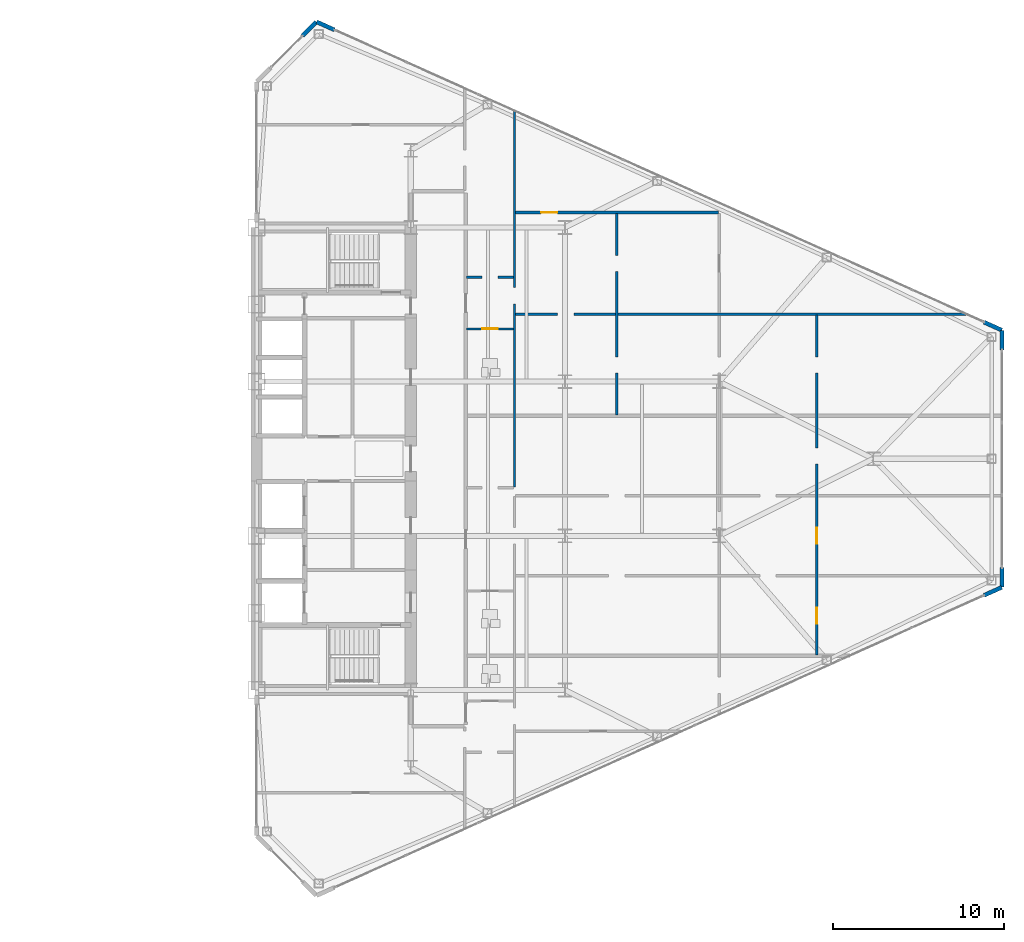
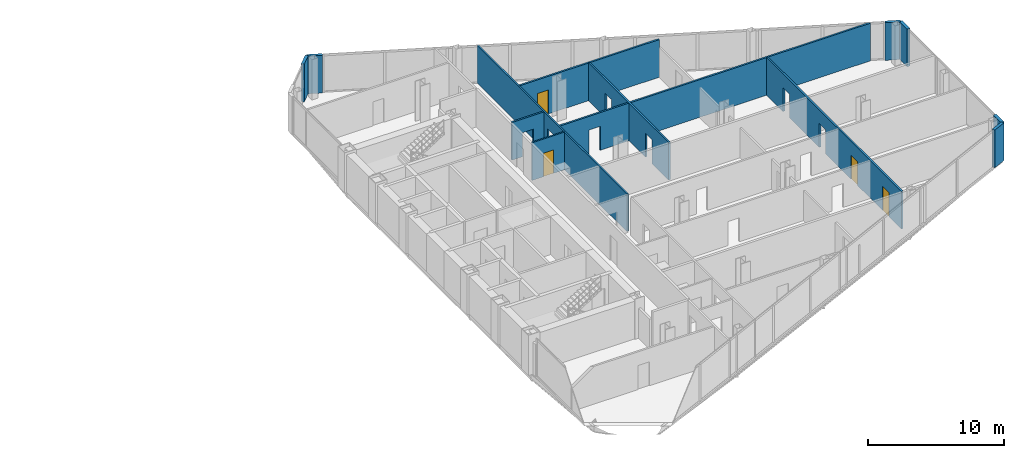
# One storey, part 24 of 27: 13 walls, 4 doors, 11 openings.
"""IFC4 building model written with IfcOpenShell, lengths in metres."""

from ifc_helpers import new_model, si_unit, direction, frame, frame_2d, origin, place, context, subcontext, project, spatial, rectangle, extrude, source, transform, mapped, material, layer, layer_set, type_object, type_shapes, element, fill, save


model = new_model("IFC4")

# Units and contexts
model_context = context("Model", 3, precision=1e-05, world=origin(), true_north=direction((0.0, 1.0)))
body_context = subcontext(model_context, "Body", "Model", "MODEL_VIEW")
ifc_project = project(units=[si_unit("LENGTHUNIT", "METRE"), si_unit("AREAUNIT", "SQUARE_METRE"), si_unit("VOLUMEUNIT", "CUBIC_METRE"), si_unit("PLANEANGLEUNIT", "RADIAN"), si_unit("MASSUNIT", "GRAM", prefix="KILO")], contexts=[model_context])

# Site, building, storey
site_placement = place(None, origin())
site = spatial("IfcSite", under=ifc_project, at=site_placement, CompositionType="ELEMENT")
building_placement = place(site_placement, origin())
building = spatial("IfcBuilding", under=site, at=building_placement, Name="Seokmaru Belvedere", CompositionType="ELEMENT")
storey_placement = place(building_placement, frame((0.0, 0.0, 65.699951171875)))
storey = spatial("IfcBuildingStorey", under=building, at=storey_placement, Name="L17", CompositionType="ELEMENT", Elevation=65.699951171875)

# Wall, opening
ifc_material_1 = material(Name="Fire-Rated Gypsum Shaftwall")
ifc_layer_1 = layer(ifc_material_1, 0.14990234375)
ifc_layer_set_1 = layer_set([ifc_layer_1], Name="Fire-Rated Gypsum Shaftwall")
wall_type_1 = type_object("IfcWallType", Name="Apartment Fire-Acoustic Room Partition 150", PredefinedType="PARTITIONING", material=ifc_layer_set_1)
wall_1_placement = place(storey_placement, frame((42.60009765625, 8.429931640625, 0.0), z_axis=(0.0, 0.0, 1.0), x_axis=(1.0, 0.0, 0.0)))
wall_1 = element("IfcWall", 1, at=wall_1_placement, inside=storey, type_object=wall_type_1, Name="L17 Interior Partition 025", PredefinedType="PARTITIONING", context=body_context, shape_type="SweptSolid", body=[
    extrude(rectangle(XDim=26.35888671875, YDim=0.14990234375, at=frame_2d((13.179443359375, 0.0))), origin(), (0.0, 0.0, 1.0), 3.380126953125),
])
opening_1_placement = place(wall_1_placement, frame((2.46240234375, 0.0, 0.0)))
element("IfcOpeningElement", 2, at=opening_1_placement, cuts=wall_1, Name="L17 Cased Opening 050", PredefinedType="OPENING", context=body_context, shape_type="SweptSolid", body=[
    extrude(rectangle(XDim=0.949951171875, YDim=2.14990234375, at=frame_2d((0.47509765625, 1.074951171875))), frame((0.0, 0.0849609375, 0.0), z_axis=(0.0, -1.0, 0.0), x_axis=(1.0, 0.0, 0.0)), (0.0, 0.0, 1.0), 0.169921875),
])

wall_2_placement = place(storey_placement, frame((39.75, 10.580078125, 0.0), z_axis=(0.0, 0.0, 1.0), x_axis=(1.0, 0.0, 0.0)))
wall_2 = element("IfcWall", 3, at=wall_2_placement, inside=storey, type_object=wall_type_1, Name="L17 Interior Partition 027", PredefinedType="PARTITIONING", context=body_context, shape_type="SweptSolid", body=[
    extrude(rectangle(XDim=2.75, YDim=0.14990234375, at=frame_2d((1.375, 0.0))), origin(), (0.0, 0.0, 1.0), 3.380126953125),
])
opening_2_placement = place(wall_2_placement, frame((0.89990234375, 0.0, 0.0)))
element("IfcOpeningElement", 4, at=opening_2_placement, cuts=wall_2, Name="L17 Cased Opening 048", PredefinedType="OPENING", context=body_context, shape_type="SweptSolid", body=[
    extrude(rectangle(XDim=0.949951171875, YDim=2.14990234375, at=frame_2d((0.47509765625, 1.074951171875))), frame((0.0, 0.0849609375, 0.0), z_axis=(0.0, -1.0, 0.0), x_axis=(1.0, 0.0, 0.0)), (0.0, 0.0, 1.0), 0.169921875),
])

# Wall, opening, door
wall_3_placement = place(storey_placement, frame((42.60009765625, 14.3701171875, 0.0), z_axis=(0.0, 0.0, 1.0), x_axis=(1.0, 0.0, 0.0)))
wall_3 = element("IfcWall", 5, at=wall_3_placement, inside=storey, type_object=wall_type_1, Name="L17 Interior Partition 028", PredefinedType="PARTITIONING", context=body_context, shape_type="SweptSolid", body=[
    extrude(rectangle(XDim=11.849853515625, YDim=0.14990234375, at=frame_2d((5.9248046875, 0.0))), origin(), (0.0, 0.0, 1.0), 3.380126953125),
])
opening_3_placement = place(wall_3_placement, frame((1.49951171875, 0.0, 0.0)))
opening_3 = element("IfcOpeningElement", 6, at=opening_3_placement, cuts=wall_3, Name="Opening D05", PredefinedType="OPENING", context=body_context, shape_type="SweptSolid", body=[
    extrude(rectangle(XDim=0.949951171875, YDim=2.14990234375, at=frame_2d((0.47509765625, 1.074951171875))), frame((0.0, 0.0849609375, 0.0), z_axis=(0.0, -1.0, 0.0), x_axis=(1.0, 0.0, 0.0)), (0.0, 0.0, 1.0), 0.169921875),
])
ifc_material_2 = material(Name="Engineered White Oak Timber", Category="wood")
door_type_1 = type_object("IfcDoorType", Name="Apartment Interior Fire-Rated Oak Door 950x2150", OperationType="NOTDEFINED", PredefinedType="DOOR", material=ifc_material_2)
shared_shape_1 = source(origin(), body_context, "Body", "SweptSolid", [
    extrude(rectangle(XDim=0.949951171875, YDim=2.14990234375, at=frame_2d((0.47509765625, 1.074951171875))), frame((0.0, 0.02490234375, 0.0), z_axis=(0.0, -1.0, 0.0), x_axis=(1.0, 0.0, 0.0)), (0.0, 0.0, 1.0), 0.050048828125),
])
type_shapes(door_type_1, [shared_shape_1])
door_1_placement = place(opening_3_placement, origin())
door_1 = element("IfcDoor", 7, at=door_1_placement, inside=storey, type_object=door_type_1, Name="L17 Interior Door 052", OperationType="SINGLE_SWING_LEFT", OverallHeight=2.14990234375, OverallWidth=0.949951171875, PredefinedType="DOOR", context=body_context, shape_type="MappedRepresentation", body=[
    mapped(shared_shape_1, transform((0.0, 0.0, 0.0), scale=1.0)),
])
fill(opening_3, door_1)

# Wall, openings
wall_4_placement = place(storey_placement, frame((48.52001953125, 2.550048828125, 0.0), z_axis=(0.0, 0.0, 1.0), x_axis=(0.0, 1.0, 0.0)))
wall_4 = element("IfcWall", 8, at=wall_4_placement, inside=storey, type_object=wall_type_1, Name="L17 Interior Partition 047", PredefinedType="PARTITIONING", context=body_context, shape_type="SweptSolid", body=[
    extrude(rectangle(XDim=11.76806640625, YDim=0.14990234375, at=frame_2d((5.884033203125, 0.0))), origin(), (0.0, 0.0, 1.0), 3.380126953125),
])
opening_4_placement = place(wall_4_placement, frame((8.376220703125, 0.0, 0.0)))
element("IfcOpeningElement", 9, at=opening_4_placement, cuts=wall_4, Name="L17 Cased Opening 051", PredefinedType="OPENING", context=body_context, shape_type="SweptSolid", body=[
    extrude(rectangle(XDim=0.949951171875, YDim=2.14990234375, at=frame_2d((0.47509765625, 1.074951171875))), frame((0.0, 0.0849609375, 0.0), z_axis=(0.0, -1.0, 0.0), x_axis=(1.0, 0.0, 0.0)), (0.0, 0.0, 1.0), 0.169921875),
])
opening_5_placement = place(wall_4_placement, frame((2.442138671875, 0.0, 0.0)))
element("IfcOpeningElement", 10, at=opening_5_placement, cuts=wall_4, Name="L17 Cased Opening 054", PredefinedType="OPENING", context=body_context, shape_type="SweptSolid", body=[
    extrude(rectangle(XDim=0.949951171875, YDim=2.14990234375, at=frame_2d((0.47509765625, 1.074951171875))), frame((0.0, 0.0849609375, 0.0), z_axis=(0.0, -1.0, 0.0), x_axis=(1.0, 0.0, 0.0)), (0.0, 0.0, 1.0), 0.169921875),
])

# Wall, openings, doors
wall_5_placement = place(storey_placement, frame((60.199951171875, -11.449951171875, 0.0), z_axis=(0.0, 0.0, 1.0), x_axis=(0.0, 1.0, 0.0)))
wall_5 = element("IfcWall", 11, at=wall_5_placement, inside=storey, type_object=wall_type_1, Name="L17 Interior Partition 049", PredefinedType="PARTITIONING", context=body_context, shape_type="SweptSolid", body=[
    extrude(rectangle(XDim=19.833984375, YDim=0.14990234375, at=frame_2d((9.9169921875, 0.0))), origin(), (0.0, 0.0, 1.0), 3.380126953125),
])
opening_6_placement = place(wall_5_placement, frame((1.808349609375, 0.0, 0.0)))
opening_6 = element("IfcOpeningElement", 12, at=opening_6_placement, cuts=wall_5, Name="Opening D05", PredefinedType="OPENING", context=body_context, shape_type="SweptSolid", body=[
    extrude(rectangle(XDim=0.949951171875, YDim=2.14990234375, at=frame_2d((0.47509765625, 1.074951171875))), frame((0.0, 0.0849609375, 0.0), z_axis=(0.0, -1.0, 0.0), x_axis=(1.0, 0.0, 0.0)), (0.0, 0.0, 1.0), 0.169921875),
])
opening_7_placement = place(wall_5_placement, frame((6.47509765625, 0.0, 0.0)))
opening_7 = element("IfcOpeningElement", 13, at=opening_7_placement, cuts=wall_5, Name="Opening D05", PredefinedType="OPENING", context=body_context, shape_type="SweptSolid", body=[
    extrude(rectangle(XDim=0.949951171875, YDim=2.14990234375, at=frame_2d((0.47509765625, 1.074951171875))), frame((0.0, 0.0849609375, 0.0), z_axis=(0.0, -1.0, 0.0), x_axis=(1.0, 0.0, 0.0)), (0.0, 0.0, 1.0), 0.169921875),
])
opening_8_placement = place(wall_5_placement, frame((11.1416015625, 0.0, 0.0)))
element("IfcOpeningElement", 14, at=opening_8_placement, cuts=wall_5, Name="L17 Cased Opening 045", PredefinedType="OPENING", context=body_context, shape_type="SweptSolid", body=[
    extrude(rectangle(XDim=0.949951171875, YDim=2.14990234375, at=frame_2d((0.47509765625, 1.074951171875))), frame((0.0, 0.0849609375, 0.0), z_axis=(0.0, -1.0, 0.0), x_axis=(1.0, 0.0, 0.0)), (0.0, 0.0, 1.0), 0.169921875),
])
opening_9_placement = place(wall_5_placement, frame((16.442138671875, 0.0, 0.0)))
element("IfcOpeningElement", 15, at=opening_9_placement, cuts=wall_5, Name="L17 Cased Opening 056", PredefinedType="OPENING", context=body_context, shape_type="SweptSolid", body=[
    extrude(rectangle(XDim=0.949951171875, YDim=2.14990234375, at=frame_2d((0.47509765625, 1.074951171875))), frame((0.0, 0.0849609375, 0.0), z_axis=(0.0, -1.0, 0.0), x_axis=(1.0, 0.0, 0.0)), (0.0, 0.0, 1.0), 0.169921875),
])
door_2_placement = place(opening_6_placement, origin())
door_2 = element("IfcDoor", 16, at=door_2_placement, inside=storey, type_object=door_type_1, Name="L17 Interior Door 042", OperationType="SINGLE_SWING_LEFT", OverallHeight=2.14990234375, OverallWidth=0.949951171875, PredefinedType="DOOR", context=body_context, shape_type="MappedRepresentation", body=[
    mapped(shared_shape_1, transform((0.0, 0.0, 0.0), scale=1.0)),
])
fill(opening_6, door_2)
door_3_placement = place(opening_7_placement, origin())
door_3 = element("IfcDoor", 17, at=door_3_placement, inside=storey, type_object=door_type_1, Name="L17 Interior Door 043", OperationType="SINGLE_SWING_LEFT", OverallHeight=2.14990234375, OverallWidth=0.949951171875, PredefinedType="DOOR", context=body_context, shape_type="MappedRepresentation", body=[
    mapped(shared_shape_1, transform((0.0, 0.0, 0.0), scale=1.0)),
])
fill(opening_7, door_3)

# Wall, opening, door
ifc_layer_2 = layer(ifc_material_1, 0.1298828125)
ifc_layer_set_2 = layer_set([ifc_layer_2], Name="Fire-Rated Gypsum Shaftwall")
wall_type_2 = type_object("IfcWallType", Name="Moisture-Resistant Fire-Rated Bathroom Partition 130", PredefinedType="PARTITIONING", material=ifc_layer_set_2)
wall_6_placement = place(storey_placement, frame((39.75, 7.580078125, 0.0), z_axis=(0.0, 0.0, 1.0), x_axis=(1.0, 0.0, 0.0)))
wall_6 = element("IfcWall", 18, at=wall_6_placement, inside=storey, type_object=wall_type_2, Name="L17 Interior Partition 024", PredefinedType="PARTITIONING", context=body_context, shape_type="SweptSolid", body=[
    extrude(rectangle(XDim=2.75, YDim=0.1298828125, at=frame_2d((1.375, 0.0))), origin(), (0.0, 0.0, 1.0), 3.380126953125),
])
opening_10_placement = place(wall_6_placement, frame((0.93505859375, 0.0, 0.0)))
opening_10 = element("IfcOpeningElement", 19, at=opening_10_placement, cuts=wall_6, Name="Opening D06", PredefinedType="OPENING", context=body_context, shape_type="SweptSolid", body=[
    extrude(rectangle(XDim=0.8798828125, YDim=2.10009765625, at=frame_2d((0.43994140625, 1.050048828125))), frame((0.0, 0.074951171875, 0.0), z_axis=(0.0, -1.0, 0.0), x_axis=(1.0, 0.0, 0.0)), (0.0, 0.0, 1.0), 0.14990234375),
])
door_type_2 = type_object("IfcDoorType", Name="Bathroom and Restroom Fire-Rated Door 880x2100", OperationType="NOTDEFINED", PredefinedType="DOOR", material=ifc_material_2)
shared_shape_2 = source(origin(), body_context, "Body", "SweptSolid", [
    extrude(rectangle(XDim=0.8798828125, YDim=2.10009765625, at=frame_2d((0.43994140625, 1.050048828125))), frame((0.0, 0.02490234375, 0.0), z_axis=(0.0, -1.0, 0.0), x_axis=(1.0, 0.0, 0.0)), (0.0, 0.0, 1.0), 0.050048828125),
])
type_shapes(door_type_2, [shared_shape_2])
door_4_placement = place(opening_10_placement, origin())
door_4 = element("IfcDoor", 20, at=door_4_placement, inside=storey, type_object=door_type_2, Name="L17 Interior Door 047", OperationType="SINGLE_SWING_RIGHT", OverallHeight=2.10009765625, OverallWidth=0.8798828125, PredefinedType="DOOR", context=body_context, shape_type="MappedRepresentation", body=[
    mapped(shared_shape_2, transform((0.0, 0.0, 0.0), scale=1.0)),
])
fill(opening_10, door_4)

# Wall, opening
wall_7_placement = place(storey_placement, frame((42.550048828125, -1.64794921875, 0.0), z_axis=(0.0, 0.0, 1.0), x_axis=(0.0, 1.0, 0.0)))
wall_7 = element("IfcWall", 21, at=wall_7_placement, inside=storey, type_object=wall_type_2, Name="L17 Interior Partition 046", PredefinedType="PARTITIONING", context=body_context, shape_type="SweptSolid", body=[
    extrude(rectangle(XDim=21.98486328125, YDim=0.1298828125, at=frame_2d((10.992431640625, 0.0))), origin(), (0.0, 0.0, 1.0), 3.380126953125),
])
opening_11_placement = place(wall_7_placement, frame((10.678955078125, 0.0, 0.0)))
element("IfcOpeningElement", 22, at=opening_11_placement, cuts=wall_7, Name="L17 Cased Opening 049", PredefinedType="OPENING", context=body_context, shape_type="SweptSolid", body=[
    extrude(rectangle(XDim=0.949951171875, YDim=2.14990234375, at=frame_2d((0.47509765625, 1.074951171875))), frame((0.0, 0.074951171875, 0.0), z_axis=(0.0, -1.0, 0.0), x_axis=(1.0, 0.0, 0.0)), (0.0, 0.0, 1.0), 0.14990234375),
])

# Walls
ifc_material_3 = material(Name="Anodised Bronze Aluminium", Category="aluminium")
ifc_layer_3 = layer(ifc_material_3, 0.239990234375)
ifc_layer_set_3 = layer_set([ifc_layer_3], Name="Anodised Bronze Aluminium")
wall_type_3 = type_object("IfcWallType", Name="Tower Corner Spandrel Closure Wall 240", PredefinedType="SOLIDWALL", material=ifc_layer_set_3)
for number, where, z_axis, x_axis, name in (
    (23, (69.951416015625, -7.971923828125, 0.0), (0.0, 0.0, 1.0), (0.911929519623, 0.410346866979, 0.0), "L17 E Corner Closure Pier 1B"),
    (24, (71.0, -7.489990234375, 0.0), (0.0, 0.0, 1.0), (0.0, 1.0, 0.0), "L17 E Corner Closure Pier 2A"),
    (25, (71.0, 6.35009765625, 0.0), (0.0, 0.0, 1.0), (0.0, 1.0, 0.0), "L17 E Corner Closure Pier 2B"),
    (26, (70.990966796875, 7.504150390625, 0.0), (0.0, 0.0, 1.0), (-0.911929519623, 0.410346866979, 0.0), "L17 E Corner Closure Pier 3A"),
    (27, (32.048583984375, 25.028076171875, 0.0), (0.0, 0.0, 1.0), (-0.911929519623, 0.410346866979, 0.0), "L17 E Corner Closure Pier 3B"),
):
    element("IfcWall", number, at=place(storey_placement, frame(where, z_axis=z_axis, x_axis=x_axis)), inside=storey, type_object=wall_type_3, Name=name, PredefinedType="SOLIDWALL", context=body_context, shape_type="SweptSolid", body=[
        extrude(rectangle(XDim=1.139892578125, YDim=0.239990234375, at=frame_2d((0.56982421875, 0.0))), origin(), (0.0, 0.0, 1.0), 3.380126953125),
    ])
wall_8_placement = place(storey_placement, frame((30.992919921875, 25.492919921875, 0.0), z_axis=(0.0, 0.0, 1.0), x_axis=(-0.707106781187, -0.707106781187, 0.0)))
element("IfcWall", 28, at=wall_8_placement, inside=storey, type_object=wall_type_3, Name="L17 E Corner Closure Pier 4A", PredefinedType="SOLIDWALL", context=body_context, shape_type="SweptSolid", body=[
    extrude(rectangle(XDim=1.14013671875, YDim=0.239990234375, at=frame_2d((0.570068359375, 0.0))), origin(), (0.0, 0.0, 1.0), 3.380126953125),
])

save(model, "model.ifc")
